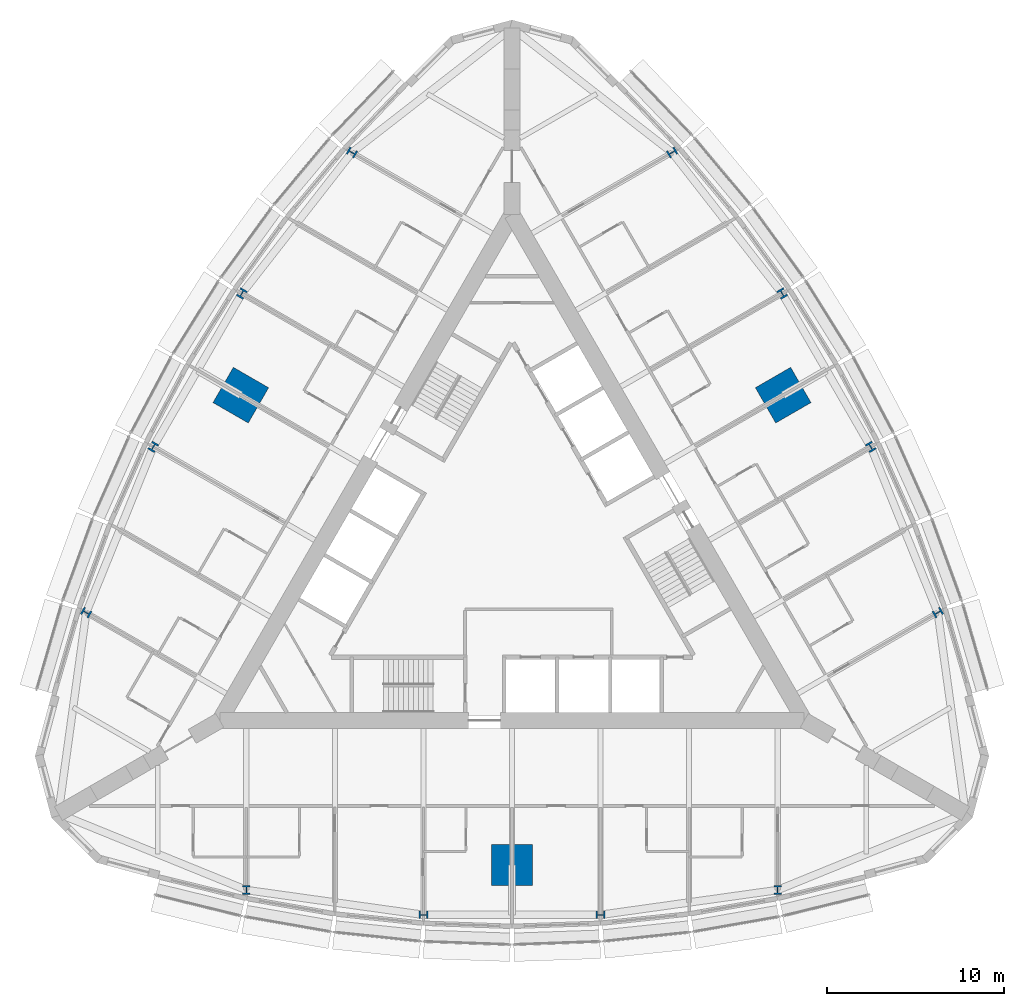
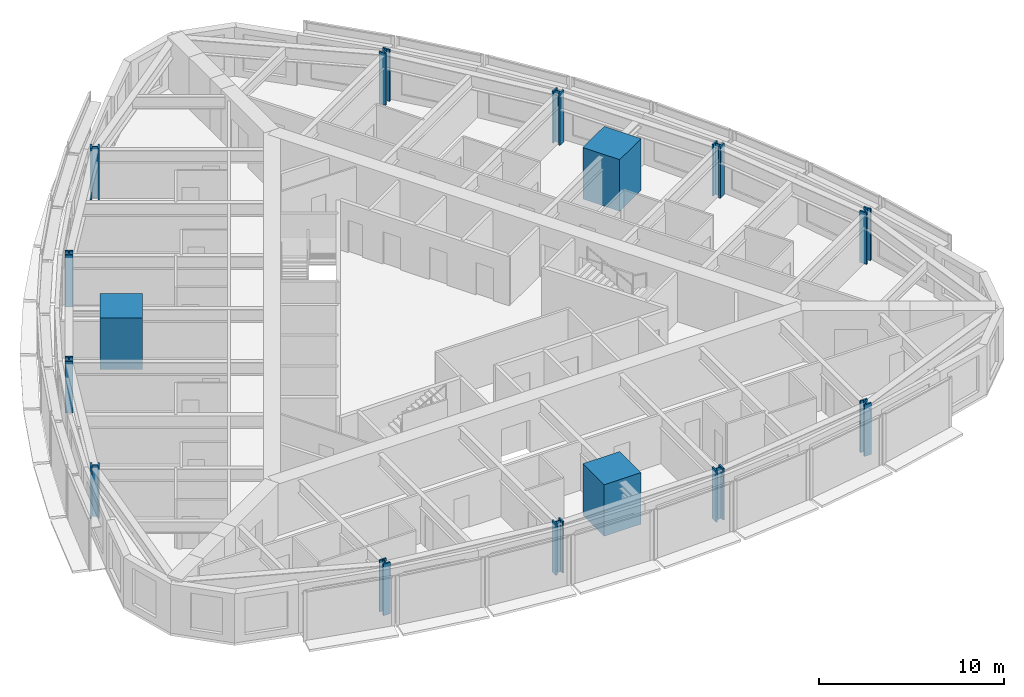
# One storey, part 1 of 14: 15 columns.
"""IFC4 building model written with IfcOpenShell, lengths in metres."""

from ifc_helpers import new_model, si_unit, direction, frame, origin, origin_2d, place, context, subcontext, project, spatial, rectangle, i_section, extrude, material, material_profile, profile_set, type_object, element, save


model = new_model("IFC4")

# Units and contexts
model_context = context("Model", 3, precision=1e-05, world=origin(), true_north=direction((0.0, 1.0)))
body_context = subcontext(model_context, "Body", "Model", "MODEL_VIEW")
ifc_project = project(units=[si_unit("LENGTHUNIT", "METRE"), si_unit("AREAUNIT", "SQUARE_METRE"), si_unit("VOLUMEUNIT", "CUBIC_METRE"), si_unit("PLANEANGLEUNIT", "RADIAN"), si_unit("MASSUNIT", "GRAM", prefix="KILO")], contexts=[model_context])

# Site, building, storey
site_placement = place(None, origin())
site = spatial("IfcSite", under=ifc_project, at=site_placement, CompositionType="ELEMENT")
building_placement = place(site_placement, origin())
building = spatial("IfcBuilding", under=site, at=building_placement, Name="Trikona Tower", CompositionType="ELEMENT")
storey_placement = place(building_placement, frame((0.0, 0.0, 141.89990234375)))
storey = spatial("IfcBuildingStorey", under=building, at=storey_placement, Name="L37", CompositionType="ELEMENT", Elevation=141.89990234375)

# Columns
ifc_material_1 = material(Name="Concrete f'c 10000 psi with encased steel section", Category="concrete")
ifc_material_profile_1 = material_profile(ifc_material_1, rectangle(XDim=2.300048828125, YDim=2.300048828125, at=origin_2d()), Name="MC2300")
ifc_profile_set_1 = profile_set([ifc_material_profile_1], Name="Concrete f'c 10000 psi with encased steel section")
column_type_1 = type_object("IfcColumnType", Name="Composite mega column 2300x2300", PredefinedType="COLUMN", material=ifc_profile_set_1)
for number, where, z_axis, x_axis, name in (
    (1, (0.0, -17.680419921875, 0.0), (0.0, 0.0, 1.0), (0.0, -1.0, 0.0), "Mega column MC1"),
    (2, (15.311767578125, 8.84033203125, 0.0), (0.0, 0.0, 1.0), (0.866025403784, 0.5, 0.0), "Mega column MC2"),
    (3, (-15.311767578125, 8.84033203125, 0.0), (0.0, 0.0, 1.0), (-0.866025403784, 0.5, 0.0), "Mega column MC3"),
):
    element("IfcColumn", number, at=place(storey_placement, frame(where, z_axis=z_axis, x_axis=x_axis)), inside=storey, type_object=column_type_1, Name=name, PredefinedType="COLUMN", context=body_context, shape_type="SweptSolid", body=[
        extrude(rectangle(XDim=2.300048828125, YDim=2.300048828125, at=origin_2d()), origin(), (0.0, 0.0, 1.0), 3.400146484375),
    ])
ifc_material_2 = material(Name="Steel ASTM A992 Grade 50", Category="steel")
ifc_material_profile_2 = material_profile(ifc_material_2, i_section(OverallWidth=0.436767578125, OverallDepth=0.51318359375, WebThickness=0.060546875, FlangeThickness=0.096923828125, at=origin_2d()), Name="W14X550")
ifc_profile_set_2 = profile_set([ifc_material_profile_2], Name="Steel ASTM A992 Grade 50")
column_type_2 = type_object("IfcColumnType", Name="Steel column W14x550", PredefinedType="COLUMN", material=ifc_profile_set_2)
for number, where, z_axis, x_axis, name in (
    (4, (-15.0, -19.10009765625, 0.0), (0.0, 0.0, 1.0), (1.0, 0.0, 0.0), "Column F0m15"),
    (5, (-5.0, -20.500244140625, 0.0), (0.0, 0.0, 1.0), (0.0, -1.0, 0.0), "Column F0m5"),
    (6, (5.0, -20.500244140625, 0.0), (0.0, 0.0, 1.0), (0.0, -1.0, 0.0), "Column F0p5"),
    (7, (15.0, -19.10009765625, 0.0), (0.0, 0.0, 1.0), (1.0, 0.0, 0.0), "Column F0p15"),
    (8, (24.041259765625, -3.440185546875, 0.0), (0.0, 0.0, 1.0), (-0.5, 0.866025403784, 0.0), "Column F1m15"),
    (9, (20.253662109375, 5.919921875, 0.0), (0.0, 0.0, 1.0), (0.866025403784, 0.5, 0.0), "Column F1m5"),
    (10, (15.253662109375, 14.580078125, 0.0), (0.0, 0.0, 1.0), (0.866025403784, 0.5, 0.0), "Column F1p5"),
    (11, (9.041259765625, 22.54052734375, 0.0), (0.0, 0.0, 1.0), (-0.5, 0.866025403784, 0.0), "Column F1p15"),
    (12, (-9.041259765625, 22.54052734375, 0.0), (0.0, 0.0, 1.0), (-0.5, -0.866025403784, 0.0), "Column F2m15"),
    (13, (-15.253662109375, 14.580078125, 0.0), (0.0, 0.0, 1.0), (-0.866025403784, 0.5, 0.0), "Column F2m5"),
    (14, (-20.253662109375, 5.919921875, 0.0), (0.0, 0.0, 1.0), (-0.866025403784, 0.5, 0.0), "Column F2p5"),
    (15, (-24.041259765625, -3.440185546875, 0.0), (0.0, 0.0, 1.0), (-0.5, -0.866025403784, 0.0), "Column F2p15"),
):
    element("IfcColumn", number, at=place(storey_placement, frame(where, z_axis=z_axis, x_axis=x_axis)), inside=storey, type_object=column_type_2, Name=name, PredefinedType="COLUMN", context=body_context, shape_type="SweptSolid", body=[
        extrude(i_section(OverallWidth=0.436767578125, OverallDepth=0.51318359375, WebThickness=0.060546875, FlangeThickness=0.096923828125, at=origin_2d()), origin(), (0.0, 0.0, 1.0), 3.400146484375),
    ])

save(model, "model.ifc")
